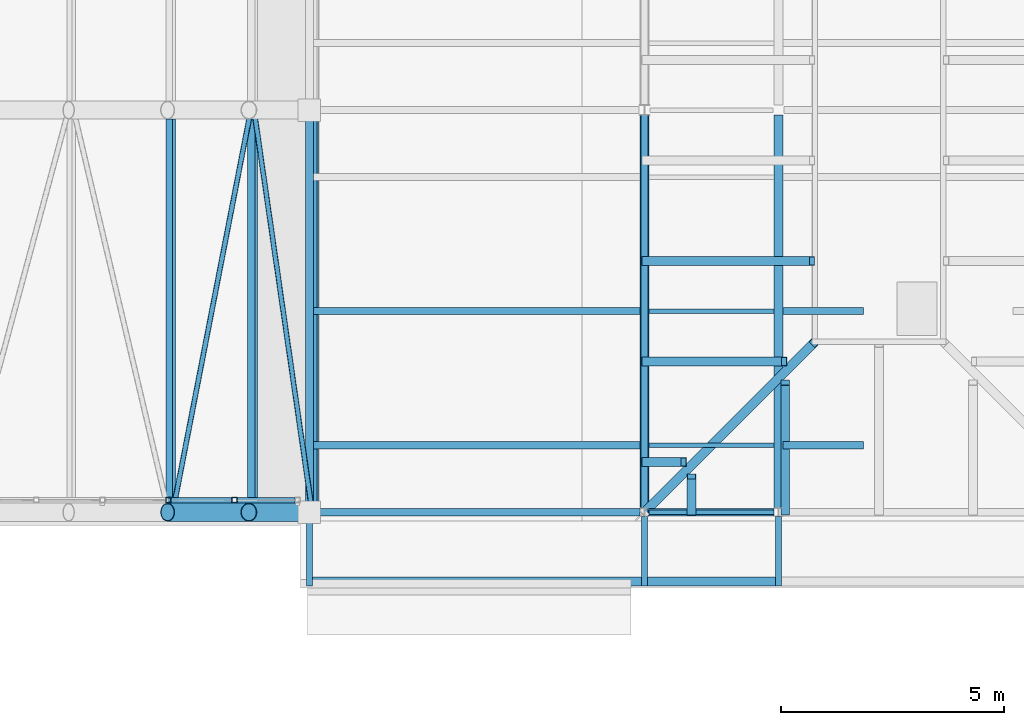
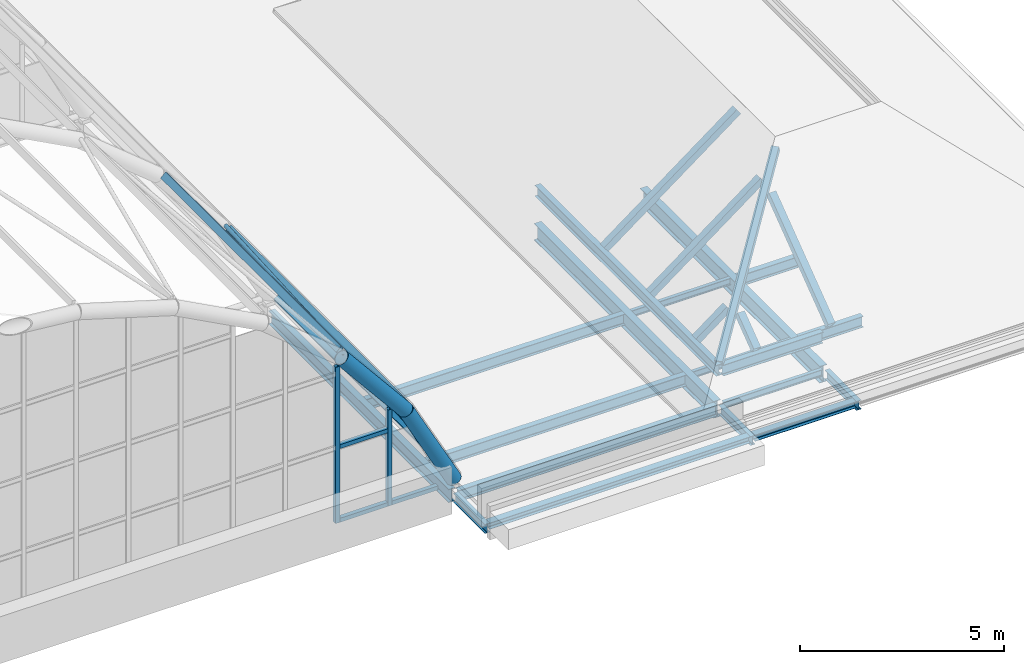
# One storey, part 29 of 121: 18 beams, 18 members, 1 element without a shape of its own.
"""IFC4 building model written with IfcOpenShell, lengths in metres."""

from ifc_helpers import new_model, si_unit, direction, frame, origin, origin_2d, place, context, subcontext, project, spatial, hollow_rectangle, hollow_circle, i_section, extrude, material, material_profile, profile_set, type_object, element, aggregate, save


model = new_model("IFC4")

# Units and contexts
model_context = context("Model", 3, precision=1e-05, world=origin(), true_north=direction((0.0, 1.0)))
body_context = subcontext(model_context, "Body", "Model", "MODEL_VIEW")
ifc_project = project(units=[si_unit("LENGTHUNIT", "METRE"), si_unit("AREAUNIT", "SQUARE_METRE"), si_unit("VOLUMEUNIT", "CUBIC_METRE"), si_unit("PLANEANGLEUNIT", "RADIAN"), si_unit("MASSUNIT", "GRAM", prefix="KILO")], contexts=[model_context])

# Site, building, storey
site_placement = place(None, origin())
site = spatial("IfcSite", under=ifc_project, at=site_placement, CompositionType="ELEMENT")
building_placement = place(site_placement, origin())
building = spatial("IfcBuilding", under=site, at=building_placement, Name="Golden Quay Civic Hall", CompositionType="ELEMENT")
storey_placement = place(building_placement, frame((0.0, 0.0, 18.60009765625)))
storey = spatial("IfcBuildingStorey", under=building, at=storey_placement, Name="L04", CompositionType="ELEMENT", Elevation=18.60009765625)

# Beams
ifc_material_1 = material(Name="Steel S355", Category="steel")
ifc_material_profile_1 = material_profile(ifc_material_1, i_section(OverallWidth=0.199951171875, OverallDepth=0.18994140625, WebThickness=0.006591796875, FlangeThickness=0.010009765625, FilletRadius=0.01806640625, at=origin_2d()), Name="HEA 200")
ifc_profile_set_1 = profile_set([ifc_material_profile_1], Name="Steel S355")
beam_type_1 = type_object("IfcBeamType", Name="Eave edge beam HEA 200", PredefinedType="BEAM", material=ifc_profile_set_1)
beam_1_placement = place(storey_placement, frame((99.0673828125, -1.550048828125, -0.34521484375), z_axis=(1.0, 0.0, 0.0), x_axis=(0.0, 1.0, 0.0)))
element("IfcBeam", 1, at=beam_1_placement, inside=storey, type_object=beam_type_1, Name="Eave edge beam HEA 200 L04 22", PredefinedType="BEAM", context=body_context, shape_type="SweptSolid", body=[
    extrude(i_section(OverallWidth=0.199951171875, OverallDepth=0.18994140625, WebThickness=0.006591796875, FlangeThickness=0.010009765625, FilletRadius=0.01806640625, at=origin_2d()), origin(), (0.0, 0.0, 1.0), 7.365234375),
])
beam_2_placement = place(storey_placement, frame((106.5673828125, -1.550048828125, -0.34521484375), z_axis=(1.0, 0.0, 0.0), x_axis=(0.0, 1.0, 0.0)))
element("IfcBeam", 2, at=beam_2_placement, inside=storey, type_object=beam_type_1, Name="Eave edge beam HEA 200 L04 23", PredefinedType="BEAM", context=body_context, shape_type="SweptSolid", body=[
    extrude(i_section(OverallWidth=0.199951171875, OverallDepth=0.18994140625, WebThickness=0.006591796875, FlangeThickness=0.010009765625, FilletRadius=0.01806640625, at=origin_2d()), origin(), (0.0, 0.0, 1.0), 2.865234375),
])
ifc_material_2 = material(Name="Steel S355", Category="steel")
ifc_material_profile_2 = material_profile(ifc_material_2, i_section(OverallWidth=0.135009765625, OverallDepth=0.27001953125, WebThickness=0.006591796875, FlangeThickness=0.01025390625, FilletRadius=0.014892578125, at=origin_2d()), Name="IPE 270")
ifc_profile_set_2 = profile_set([ifc_material_profile_2], Name="Steel S355")
beam_type_2 = type_object("IfcBeamType", Name="Eave stub IPE 270", PredefinedType="BEAM", material=ifc_profile_set_2)
for number, where, z_axis, x_axis, name in (
    (3, (99.0, -0.094970703125, -0.385009765625), (0.0, -1.0, 0.0), (1.0, 0.0, 0.0), "Eave stub IPE 270 L04 27"),
    (4, (106.5, -0.094970703125, -0.385009765625), (0.0, -1.0, 0.0), (1.0, 0.0, 0.0), "Eave stub IPE 270 L04 28"),
    (5, (109.5, -0.094970703125, -0.385009765625), (0.0, -1.0, 0.0), (1.0, 0.0, 0.0), "Eave stub IPE 270 L04 29"),
):
    element("IfcBeam", number, at=place(storey_placement, frame(where, z_axis=z_axis, x_axis=x_axis)), inside=storey, type_object=beam_type_2, Name=name, PredefinedType="BEAM", context=body_context, shape_type="SweptSolid", body=[
        extrude(i_section(OverallWidth=0.135009765625, OverallDepth=0.27001953125, WebThickness=0.006591796875, FlangeThickness=0.01025390625, FilletRadius=0.014892578125, at=origin_2d()), origin(), (0.0, 0.0, 1.0), 1.554931640625),
    ])

# Members
ifc_material_3 = material(Name="Steel S355", Category="steel")
ifc_material_profile_3 = material_profile(ifc_material_3, hollow_circle(Radius=0.203125, WallThickness=0.01611328125, at=origin_2d()), Name="CHS 406.4x16")
ifc_profile_set_3 = profile_set([ifc_material_profile_3], Name="Steel S355")
member_type_1 = type_object("IfcMemberType", Name="Steel arch rib CHS 406.4x16", PredefinedType="USERDEFINED", material=ifc_profile_set_3)
for number, where, z_axis, x_axis, name in (
    (6, (95.826904296875, 0.0, 4.830810546875), (0.635608575128, 0.0, -0.772011489049), (0.0, 1.0, 0.0), "Arch rib 1 segment 11"),
    (7, (97.64599609375, 0.0, 2.621337890625), (0.473092307375, 0.0, -0.881012865231), (0.0, 1.0, 0.0), "Arch rib 1 segment 12"),
):
    element("IfcMember", number, at=place(storey_placement, frame(where, z_axis=z_axis, x_axis=x_axis)), inside=storey, type_object=member_type_1, Name=name, ObjectType="ARCH RIB", PredefinedType="USERDEFINED", context=body_context, shape_type="SweptSolid", body=[
        extrude(hollow_circle(Radius=0.203125, WallThickness=0.01611328125, at=origin_2d()), origin(), (0.0, 0.0, 1.0), 2.862060546875),
    ])

# Beams
ifc_material_4 = material(Name="Steel S355", Category="steel")
ifc_material_profile_4 = material_profile(ifc_material_4, i_section(OverallWidth=0.10009765625, OverallDepth=0.199951171875, WebThickness=0.005615234375, FlangeThickness=0.008544921875, FilletRadius=0.011962890625, at=origin_2d()), Name="IPE 200")
ifc_profile_set_4 = profile_set([ifc_material_profile_4], Name="Steel S355")
beam_type_3 = type_object("IfcBeamType", Name="Steel beam IPE 200", PredefinedType="BEAM", material=ifc_profile_set_4)
beam_3_placement = place(storey_placement, frame((106.60009765625, 0.0, -0.35009765625), z_axis=(1.0, 0.0, 0.0), x_axis=(0.0, 1.0, 0.0)))
element("IfcBeam", 8, at=beam_3_placement, inside=storey, type_object=beam_type_3, Name="Beam S0-106.5", PredefinedType="BEAM", context=body_context, shape_type="SweptSolid", body=[
    extrude(i_section(OverallWidth=0.10009765625, OverallDepth=0.199951171875, WebThickness=0.005615234375, FlangeThickness=0.008544921875, FilletRadius=0.011962890625, at=origin_2d()), origin(), (0.0, 0.0, 1.0), 2.7998046875),
])
ifc_material_5 = material(Name="Steel S355", Category="steel")
ifc_material_profile_5 = material_profile(ifc_material_5, i_section(OverallWidth=0.159912109375, OverallDepth=0.330078125, WebThickness=0.007568359375, FlangeThickness=0.011474609375, FilletRadius=0.01806640625, at=origin_2d()), Name="IPE 330")
ifc_profile_set_5 = profile_set([ifc_material_profile_5], Name="Steel S355")
beam_type_4 = type_object("IfcBeamType", Name="Steel beam IPE 330", PredefinedType="BEAM", material=ifc_profile_set_5)
beam_4_placement = place(storey_placement, frame((99.10009765625, 0.0, -0.4150390625), z_axis=(1.0, 0.0, 0.0), x_axis=(0.0, 1.0, 0.0)))
element("IfcBeam", 9, at=beam_4_placement, inside=storey, type_object=beam_type_4, Name="Beam S0-99", PredefinedType="BEAM", context=body_context, shape_type="SweptSolid", body=[
    extrude(i_section(OverallWidth=0.159912109375, OverallDepth=0.330078125, WebThickness=0.007568359375, FlangeThickness=0.011474609375, FilletRadius=0.01806640625, at=origin_2d()), origin(), (0.0, 0.0, 1.0), 7.2998046875),
])
ifc_material_6 = material(Name="Steel S355", Category="steel")
ifc_material_profile_6 = material_profile(ifc_material_6, i_section(OverallWidth=0.179931640625, OverallDepth=0.39990234375, WebThickness=0.008544921875, FlangeThickness=0.013427734375, FilletRadius=0.02099609375, at=origin_2d()), Name="IPE 400")
ifc_profile_set_6 = profile_set([ifc_material_profile_6], Name="Steel S355")
beam_type_5 = type_object("IfcBeamType", Name="Steel beam IPE 400", PredefinedType="BEAM", material=ifc_profile_set_6)
beam_5_placement = place(storey_placement, frame((99.0, 0.094970703125, -0.4501953125), z_axis=(0.0, 1.0, 0.0), x_axis=(-1.0, 0.0, 0.0)))
element("IfcBeam", 10, at=beam_5_placement, inside=storey, type_object=beam_type_5, Name="Beam L99-0", PredefinedType="BEAM", context=body_context, shape_type="SweptSolid", body=[
    extrude(i_section(OverallWidth=0.179931640625, OverallDepth=0.39990234375, WebThickness=0.008544921875, FlangeThickness=0.013427734375, FilletRadius=0.02099609375, at=origin_2d()), origin(), (0.0, 0.0, 1.0), 8.81005859375),
])
ifc_material_7 = material(Name="Steel S355", Category="steel")
ifc_material_profile_7 = material_profile(ifc_material_7, i_section(OverallWidth=0.199951171875, OverallDepth=0.5, WebThickness=0.01025390625, FlangeThickness=0.01611328125, FilletRadius=0.02099609375, at=origin_2d()), Name="IPE 500")
ifc_profile_set_7 = profile_set([ifc_material_profile_7], Name="Steel S355")
beam_type_6 = type_object("IfcBeamType", Name="Steel beam IPE 500", PredefinedType="BEAM", material=ifc_profile_set_7)
for number, where, z_axis, x_axis, name in (
    (11, (106.5, 0.094970703125, -0.5), (0.0, 1.0, 0.0), (-1.0, 0.0, 0.0), "Beam L106.5-0"),
    (12, (109.5, 0.094970703125, -0.5), (0.0, 1.0, 0.0), (-1.0, 0.0, 0.0), "Beam L109.5-0"),
):
    element("IfcBeam", number, at=place(storey_placement, frame(where, z_axis=z_axis, x_axis=x_axis)), inside=storey, type_object=beam_type_6, Name=name, PredefinedType="BEAM", context=body_context, shape_type="SweptSolid", body=[
        extrude(i_section(OverallWidth=0.199951171875, OverallDepth=0.5, WebThickness=0.01025390625, FlangeThickness=0.01611328125, FilletRadius=0.02099609375, at=origin_2d()), origin(), (0.0, 0.0, 1.0), 8.7900390625),
    ])

# Members
ifc_material_8 = material(Name="Steel S355", Category="steel")
ifc_material_profile_8 = material_profile(ifc_material_8, hollow_circle(Radius=0.05712890625, WallThickness=0.00634765625, at=origin_2d()), Name="CHS 114.3x6.3")
ifc_profile_set_8 = profile_set([ifc_material_profile_8], Name="Steel S355")
member_type_2 = type_object("IfcMemberType", Name="Steel bracing rod CHS 114.3x6.3", PredefinedType="BRACE", material=ifc_profile_set_8)
for number, where, z_axis, x_axis, name in (
    (13, (95.9765625, 0.175048828125, 4.8115234375), (0.185661631915, 0.956381450821, -0.225531104195), (-0.981673313641, 0.190571522755, 0.0), "Vault bracing south 11"),
    (14, (97.7890625, 8.824951171875, 2.5732421875), (0.138180562314, -0.9563854899, -0.257357585682), (0.989723086129, 0.142997247471, 0.0), "Vault bracing south 12"),
):
    element("IfcMember", number, at=place(storey_placement, frame(where, z_axis=z_axis, x_axis=x_axis)), inside=storey, type_object=member_type_2, Name=name, PredefinedType="BRACE", context=body_context, shape_type="SweptSolid", body=[
        extrude(hollow_circle(Radius=0.05712890625, WallThickness=0.00634765625, at=origin_2d()), origin(), (0.0, 0.0, 1.0), 9.04443359375),
    ])
ifc_material_9 = material(Name="Steel S355", Category="steel")
ifc_material_profile_9 = material_profile(ifc_material_9, hollow_rectangle(XDim=0.199951171875, YDim=0.199951171875, WallThickness=0.010009765625, at=origin_2d()), Name="SHS 200x200x10")
ifc_profile_set_9 = profile_set([ifc_material_profile_9], Name="Steel S355")
member_type_3 = type_object("IfcMemberType", Name="Steel jack rafter SHS 200x200x10", PredefinedType="RAFTER", material=ifc_profile_set_9)
member_1_placement = place(storey_placement, frame((107.550048828125, 0.0, 0.96484375), z_axis=(0.0, 0.799970705032, 0.600039057971), x_axis=(-1.0, 0.0, 0.0)))
element("IfcMember", 15, at=member_1_placement, inside=storey, type_object=member_type_3, Name="Jack rafter EM-S south 1", PredefinedType="RAFTER", context=body_context, shape_type="SweptSolid", body=[
    extrude(hollow_rectangle(XDim=0.199951171875, YDim=0.199951171875, WallThickness=0.010009765625, at=origin_2d()), origin(), (0.0, 0.0, 1.0), 1.0),
])
member_2_placement = place(storey_placement, frame((109.64990234375, 0.0, 0.96484375), z_axis=(0.0, 0.799983835699, 0.600021551797), x_axis=(-1.0, 0.0, 0.0)))
element("IfcMember", 16, at=member_2_placement, inside=storey, type_object=member_type_3, Name="Jack rafter EM-S south 2", PredefinedType="RAFTER", context=body_context, shape_type="SweptSolid", body=[
    extrude(hollow_rectangle(XDim=0.199951171875, YDim=0.199951171875, WallThickness=0.010009765625, at=origin_2d()), origin(), (0.0, 0.0, 1.0), 3.625),
])
member_3_placement = place(storey_placement, frame((106.5, 1.125, 0.96484375), z_axis=(0.8, 0.0, 0.6), x_axis=(0.0, 1.0, 0.0)))
element("IfcMember", 17, at=member_3_placement, inside=storey, type_object=member_type_3, Name="Jack rafter EM-S west 1", PredefinedType="RAFTER", context=body_context, shape_type="SweptSolid", body=[
    extrude(hollow_rectangle(XDim=0.199951171875, YDim=0.199951171875, WallThickness=0.010009765625, at=origin_2d()), origin(), (0.0, 0.0, 1.0), 1.09375),
])
member_4_placement = place(storey_placement, frame((106.5, 3.375, 0.96484375), z_axis=(0.8, 0.0, 0.6), x_axis=(0.0, 1.0, 0.0)))
element("IfcMember", 18, at=member_4_placement, inside=storey, type_object=member_type_3, Name="Jack rafter EM-S west 2", PredefinedType="RAFTER", context=body_context, shape_type="SweptSolid", body=[
    extrude(hollow_rectangle(XDim=0.199951171875, YDim=0.199951171875, WallThickness=0.010009765625, at=origin_2d()), origin(), (0.0, 0.0, 1.0), 3.90625),
])
member_5_placement = place(storey_placement, frame((106.5, 5.625, 0.96484375), z_axis=(0.8, 0.0, 0.6), x_axis=(0.0, 1.0, 0.0)))
element("IfcMember", 19, at=member_5_placement, inside=storey, type_object=member_type_3, Name="Jack rafter EM-S west 3", PredefinedType="RAFTER", context=body_context, shape_type="SweptSolid", body=[
    extrude(hollow_rectangle(XDim=0.199951171875, YDim=0.199951171875, WallThickness=0.010009765625, at=origin_2d()), origin(), (0.0, 0.0, 1.0), 4.6875),
])

# Beams
ifc_material_10 = material(Name="Steel S355", Category="steel")
ifc_material_profile_10 = material_profile(ifc_material_10, i_section(OverallWidth=0.10009765625, OverallDepth=0.199951171875, WebThickness=0.005615234375, FlangeThickness=0.008544921875, FilletRadius=0.011962890625, at=origin_2d()), Name="IPE 200")
ifc_profile_set_10 = profile_set([ifc_material_profile_10], Name="Steel S355")
beam_type_7 = type_object("IfcBeamType", Name="Steel joist IPE 200", PredefinedType="JOIST", material=ifc_profile_set_10)
for number, where, z_axis, x_axis, name in (
    (20, (106.60009765625, 1.5, -0.35009765625), (1.0, 0.0, 0.0), (0.0, 1.0, 0.0), "Joist J1.5-106.5"),
    (21, (106.60009765625, 4.5, -0.35009765625), (1.0, 0.0, 0.0), (0.0, 1.0, 0.0), "Joist J4.5-106.5"),
):
    element("IfcBeam", number, at=place(storey_placement, frame(where, z_axis=z_axis, x_axis=x_axis)), inside=storey, type_object=beam_type_7, Name=name, PredefinedType="JOIST", context=body_context, shape_type="SweptSolid", body=[
        extrude(i_section(OverallWidth=0.10009765625, OverallDepth=0.199951171875, WebThickness=0.005615234375, FlangeThickness=0.008544921875, FilletRadius=0.011962890625, at=origin_2d()), origin(), (0.0, 0.0, 1.0), 2.7998046875),
    ])
ifc_material_11 = material(Name="Steel S355", Category="steel")
ifc_material_profile_11 = material_profile(ifc_material_11, i_section(OverallWidth=0.159912109375, OverallDepth=0.330078125, WebThickness=0.007568359375, FlangeThickness=0.011474609375, FilletRadius=0.01806640625, at=origin_2d()), Name="IPE 330")
ifc_profile_set_11 = profile_set([ifc_material_profile_11], Name="Steel S355")
beam_type_8 = type_object("IfcBeamType", Name="Steel joist IPE 330", PredefinedType="JOIST", material=ifc_profile_set_11)
beam_6_placement = place(storey_placement, frame((99.090087890625, 1.5, -0.4150390625), z_axis=(1.0, 0.0, 0.0), x_axis=(0.0, 1.0, 0.0)))
element("IfcBeam", 22, at=beam_6_placement, inside=storey, type_object=beam_type_8, Name="Joist J1.5-99", PredefinedType="JOIST", context=body_context, shape_type="SweptSolid", body=[
    extrude(i_section(OverallWidth=0.159912109375, OverallDepth=0.330078125, WebThickness=0.007568359375, FlangeThickness=0.011474609375, FilletRadius=0.01806640625, at=origin_2d()), origin(), (0.0, 0.0, 1.0), 7.309814453125),
])
beam_7_placement = place(storey_placement, frame((109.60009765625, 1.5, -0.4150390625), z_axis=(1.0, 0.0, 0.0), x_axis=(0.0, 1.0, 0.0)))
element("IfcBeam", 23, at=beam_7_placement, inside=storey, type_object=beam_type_8, Name="Joist J1.5-109.5-0", PredefinedType="JOIST", context=body_context, shape_type="SweptSolid", body=[
    extrude(i_section(OverallWidth=0.159912109375, OverallDepth=0.330078125, WebThickness=0.007568359375, FlangeThickness=0.011474609375, FilletRadius=0.01806640625, at=origin_2d()), origin(), (0.0, 0.0, 1.0), 1.7998046875),
])
beam_8_placement = place(storey_placement, frame((99.090087890625, 4.5, -0.4150390625), z_axis=(1.0, 0.0, 0.0), x_axis=(0.0, 1.0, 0.0)))
element("IfcBeam", 24, at=beam_8_placement, inside=storey, type_object=beam_type_8, Name="Joist J4.5-99", PredefinedType="JOIST", context=body_context, shape_type="SweptSolid", body=[
    extrude(i_section(OverallWidth=0.159912109375, OverallDepth=0.330078125, WebThickness=0.007568359375, FlangeThickness=0.011474609375, FilletRadius=0.01806640625, at=origin_2d()), origin(), (0.0, 0.0, 1.0), 7.309814453125),
])
beam_9_placement = place(storey_placement, frame((109.60009765625, 4.5, -0.4150390625), z_axis=(1.0, 0.0, 0.0), x_axis=(0.0, 1.0, 0.0)))
element("IfcBeam", 25, at=beam_9_placement, inside=storey, type_object=beam_type_8, Name="Joist J4.5-109.5-0", PredefinedType="JOIST", context=body_context, shape_type="SweptSolid", body=[
    extrude(i_section(OverallWidth=0.159912109375, OverallDepth=0.330078125, WebThickness=0.007568359375, FlangeThickness=0.011474609375, FilletRadius=0.01806640625, at=origin_2d()), origin(), (0.0, 0.0, 1.0), 1.7998046875),
])

# Curtain wall, members
ifc_material_12 = material(Name="Glass and aluminium", Category="aluminium")
curtain_wall_type = type_object("IfcCurtainWallType", Name="Glazed curtain wall 1500 module", PredefinedType="NOTDEFINED", material=ifc_material_12)
curtain_wall_placement = place(storey_placement, origin())
curtain_wall = element("IfcCurtainWall", 26, at=curtain_wall_placement, inside=storey, type_object=curtain_wall_type, Name="Curtain wall tympanum south", PredefinedType="NOTDEFINED")
ifc_material_13 = material(Name="Steel S355", Category="steel")
ifc_material_profile_12 = material_profile(ifc_material_13, hollow_rectangle(XDim=0.1201171875, YDim=0.1201171875, WallThickness=0.008056640625, at=origin_2d()), Name="SHS 120x120x8")
ifc_profile_set_12 = profile_set([ifc_material_profile_12], Name="Steel S355")
member_type_4 = type_object("IfcMemberType", Name="Steel mullion SHS 120x120x8", PredefinedType="MULLION", material=ifc_profile_set_12)
member_6_placement = place(storey_placement, frame((95.844482421875, 0.27001953125, -0.25), z_axis=(0.0, 0.0, 1.0), x_axis=(0.0, 1.0, 0.0)))
member_6 = element("IfcMember", 27, at=member_6_placement, type_object=member_type_4, Name="Tympanum mullion 17", PredefinedType="MULLION", context=body_context, shape_type="SweptSolid", body=[
    extrude(hollow_rectangle(XDim=0.1201171875, YDim=0.1201171875, WallThickness=0.008056640625, at=origin_2d()), origin(), (0.0, 0.0, 1.0), 4.6669921875),
])
member_7_placement = place(storey_placement, frame((97.322265625, 0.27001953125, -0.25), z_axis=(0.0, 0.0, 1.0), x_axis=(0.0, 1.0, 0.0)))
member_7 = element("IfcMember", 28, at=member_7_placement, type_object=member_type_4, Name="Tympanum mullion 18", PredefinedType="MULLION", context=body_context, shape_type="SweptSolid", body=[
    extrude(hollow_rectangle(XDim=0.1201171875, YDim=0.1201171875, WallThickness=0.008056640625, at=origin_2d()), origin(), (0.0, 0.0, 1.0), 2.8720703125),
])

# Members
ifc_material_14 = material(Name="Steel S355", Category="steel")
ifc_material_profile_13 = material_profile(ifc_material_14, hollow_rectangle(XDim=0.199951171875, YDim=0.199951171875, WallThickness=0.010009765625, at=origin_2d()), Name="SHS 200x200x10")
ifc_profile_set_13 = profile_set([ifc_material_profile_13], Name="Steel S355")
member_type_5 = type_object("IfcMemberType", Name="Steel pavilion hip rafter SHS 200x200x10", PredefinedType="RAFTER", material=ifc_profile_set_13)
member_8_placement = place(storey_placement, frame((106.5, 0.0, 0.92822265625), z_axis=(0.625782928891, 0.625782928891, 0.465608689584), x_axis=(-0.707106781187, 0.707106781187, 0.0)))
element("IfcMember", 29, at=member_8_placement, inside=storey, type_object=member_type_5, Name="Hip rafter EM-S south-west", PredefinedType="RAFTER", context=body_context, shape_type="SweptSolid", body=[
    extrude(hollow_rectangle(XDim=0.199951171875, YDim=0.199951171875, WallThickness=0.010009765625, at=origin_2d()), origin(), (0.0, 0.0, 1.0), 6.04052734375),
])
ifc_material_15 = material(Name="Steel S355", Category="steel")
ifc_material_profile_14 = material_profile(ifc_material_15, hollow_rectangle(XDim=0.10009765625, YDim=0.199951171875, WallThickness=0.008056640625, at=origin_2d()), Name="RHS 200x100x8")
ifc_profile_set_14 = profile_set([ifc_material_profile_14], Name="Steel S355")
member_type_6 = type_object("IfcMemberType", Name="Steel purlin RHS 200x100x8", PredefinedType="PURLIN", material=ifc_profile_set_14)
for number, where, z_axis, x_axis, name in (
    (30, (95.89990234375, 0.203125, 4.90380859375), (0.0, 1.0, 0.0), (-0.708092289314, 0.0, 0.70611989762), "Purlin 1.11"),
    (31, (97.731689453125, 0.203125, 2.6787109375), (0.0, 1.0, 0.0), (-0.557018943033, 0.0, 0.830499787539), "Purlin 1.12"),
    (32, (99.09521484375, 0.203125, 0.1396484375), (0.0, 1.0, 0.0), (-0.384615384615, 0.0, 0.923076923077), "Purlin 1.13"),
):
    element("IfcMember", number, at=place(storey_placement, frame(where, z_axis=z_axis, x_axis=x_axis)), inside=storey, type_object=member_type_6, Name=name, PredefinedType="PURLIN", context=body_context, shape_type="SweptSolid", body=[
        extrude(hollow_rectangle(XDim=0.10009765625, YDim=0.199951171875, WallThickness=0.008056640625, at=origin_2d()), origin(), (0.0, 0.0, 1.0), 8.59375),
    ])

# Member
ifc_material_16 = material(Name="Steel S355", Category="steel")
ifc_material_profile_15 = material_profile(ifc_material_16, hollow_rectangle(XDim=0.1201171875, YDim=0.1201171875, WallThickness=0.008056640625, at=origin_2d()), Name="SHS 120x120x8")
ifc_profile_set_15 = profile_set([ifc_material_profile_15], Name="Steel S355")
member_type_7 = type_object("IfcMemberType", Name="Steel transom SHS 120x120x8", PredefinedType="USERDEFINED", material=ifc_profile_set_15)
member_9_placement = place(storey_placement, frame((95.904541015625, 0.27001953125, -0.190185546875), z_axis=(1.0, 0.0, 0.0), x_axis=(0.0, 1.0, 0.0)))
member_9 = element("IfcMember", 33, at=member_9_placement, type_object=member_type_7, Name="Tympanum transom 17.1", ObjectType="TRANSOM", PredefinedType="USERDEFINED", context=body_context, shape_type="SweptSolid", body=[
    extrude(hollow_rectangle(XDim=0.1201171875, YDim=0.1201171875, WallThickness=0.008056640625, at=origin_2d()), origin(), (0.0, 0.0, 1.0), 1.357666015625),
])

member_10_placement = place(storey_placement, frame((95.904541015625, 0.27001953125, 2.010009765625), z_axis=(1.0, 0.0, 0.0), x_axis=(0.0, 1.0, 0.0)))
member_10 = element("IfcMember", 34, at=member_10_placement, type_object=member_type_7, Name="Tympanum transom 17.2", ObjectType="TRANSOM", PredefinedType="USERDEFINED", context=body_context, shape_type="SweptSolid", body=[
    extrude(hollow_rectangle(XDim=0.1201171875, YDim=0.1201171875, WallThickness=0.008056640625, at=origin_2d()), origin(), (0.0, 0.0, 1.0), 1.357666015625),
])

member_11_placement = place(storey_placement, frame((97.38232421875, 0.27001953125, -0.190185546875), z_axis=(1.0, 0.0, 0.0), x_axis=(0.0, 1.0, 0.0)))
member_11 = element("IfcMember", 35, at=member_11_placement, type_object=member_type_7, Name="Tympanum transom 18.1", ObjectType="TRANSOM", PredefinedType="USERDEFINED", context=body_context, shape_type="SweptSolid", body=[
    extrude(hollow_rectangle(XDim=0.1201171875, YDim=0.1201171875, WallThickness=0.008056640625, at=origin_2d()), origin(), (0.0, 0.0, 1.0), 1.297607421875),
])

aggregate(curtain_wall, [member_6, member_7, member_9, member_10, member_11])

# Beams
ifc_material_17 = material(Name="Steel S355", Category="steel")
ifc_material_profile_16 = material_profile(ifc_material_17, i_section(OverallWidth=0.159912109375, OverallDepth=0.330078125, WebThickness=0.007568359375, FlangeThickness=0.011474609375, FilletRadius=0.01806640625, at=origin_2d()), Name="IPE 330")
ifc_profile_set_16 = profile_set([ifc_material_profile_16], Name="Steel S355")
beam_type_9 = type_object("IfcBeamType", Name="Steel wall plate beam IPE 330", PredefinedType="BEAM", material=ifc_profile_set_16)
beam_10_placement = place(storey_placement, frame((106.580078125, 0.0, 0.719970703125), z_axis=(1.0, 0.0, 0.0), x_axis=(0.0, 1.0, 0.0)))
element("IfcBeam", 36, at=beam_10_placement, inside=storey, type_object=beam_type_9, Name="Wall plate beam EM-S S1", PredefinedType="BEAM", context=body_context, shape_type="SweptSolid", body=[
    extrude(i_section(OverallWidth=0.159912109375, OverallDepth=0.330078125, WebThickness=0.007568359375, FlangeThickness=0.011474609375, FilletRadius=0.01806640625, at=origin_2d()), origin(), (0.0, 0.0, 1.0), 2.81982421875),
])
beam_11_placement = place(storey_placement, frame((106.5, 0.0, 0.719970703125), z_axis=(0.0, 1.0, 0.0), x_axis=(-1.0, 0.0, 0.0)))
element("IfcBeam", 37, at=beam_11_placement, inside=storey, type_object=beam_type_9, Name="Wall plate beam EM-S W1", PredefinedType="BEAM", context=body_context, shape_type="SweptSolid", body=[
    extrude(i_section(OverallWidth=0.159912109375, OverallDepth=0.330078125, WebThickness=0.007568359375, FlangeThickness=0.011474609375, FilletRadius=0.01806640625, at=origin_2d()), origin(), (0.0, 0.0, 1.0), 8.885009765625),
])

save(model, "model.ifc")
